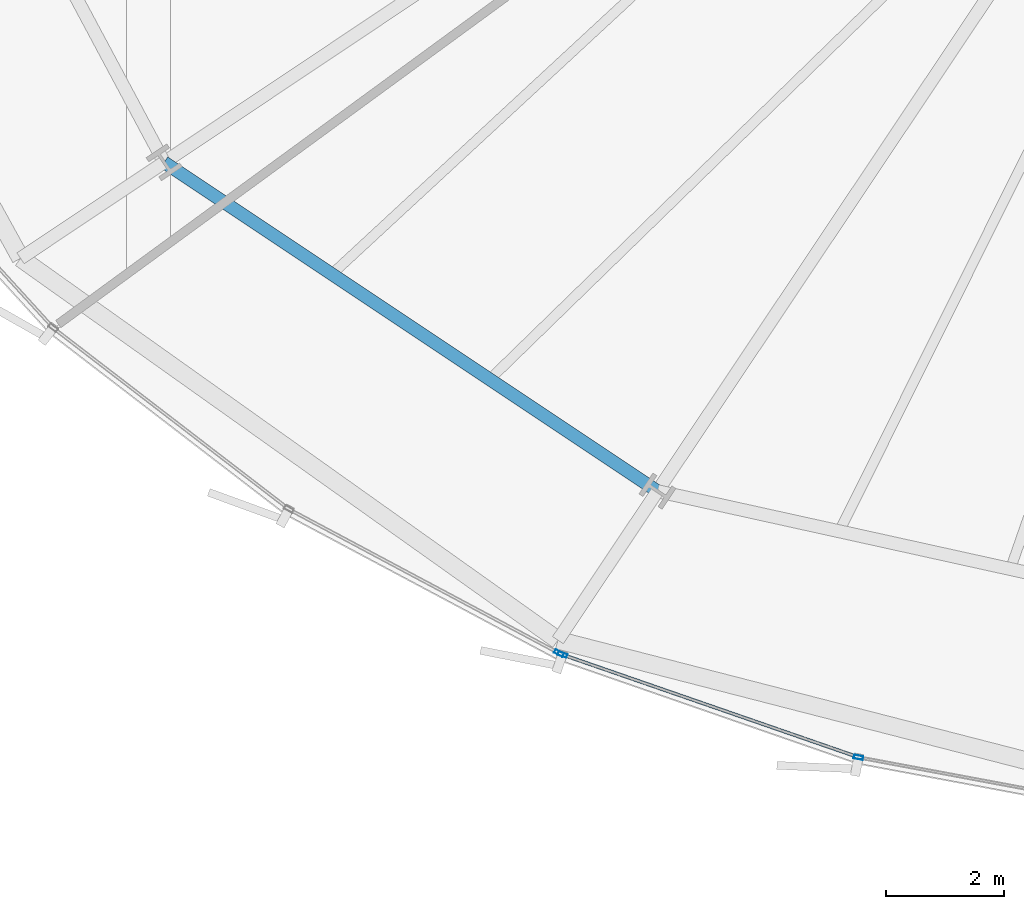
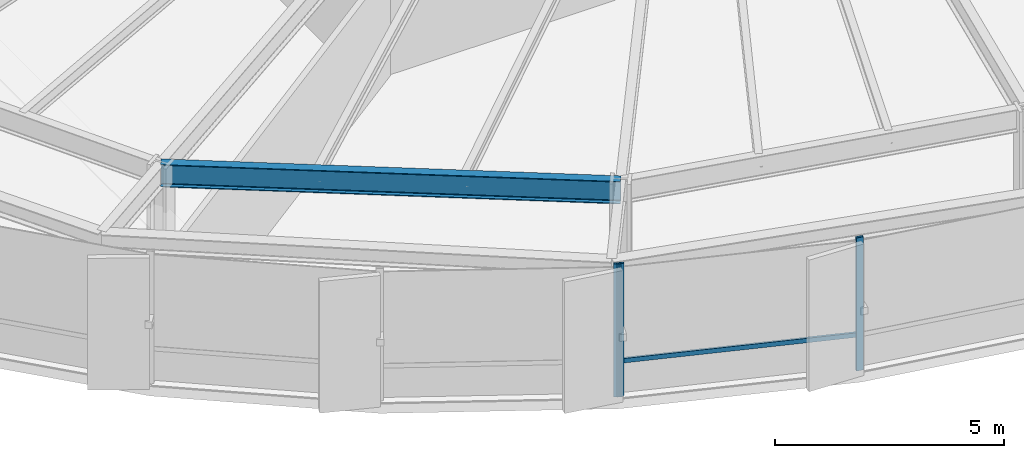
# One storey, part 4 of 42: 4 members, 1 beam, 2 elements without a shape of their own.
"""IFC4 building model written with IfcOpenShell, lengths in metres."""

from ifc_helpers import new_model, si_unit, direction, frame, origin, origin_2d, place, context, subcontext, project, spatial, hollow_rectangle, i_section, extrude, source, transform, mapped, material, layer, layer_set, material_profile, profile_set, type_object, element, aggregate, save


model = new_model("IFC4")

# Units and contexts
model_context = context("Model", 3, precision=1e-05, world=origin(), true_north=direction((0.0, 1.0)))
body_context = subcontext(model_context, "Body", "Model", "MODEL_VIEW")
ifc_project = project(units=[si_unit("LENGTHUNIT", "METRE"), si_unit("AREAUNIT", "SQUARE_METRE"), si_unit("VOLUMEUNIT", "CUBIC_METRE"), si_unit("PLANEANGLEUNIT", "RADIAN"), si_unit("MASSUNIT", "GRAM", prefix="KILO"), si_unit("THERMODYNAMICTEMPERATUREUNIT", "KELVIN")], contexts=[model_context])

# Site, building, storey
site_placement = place(None, origin())
site = spatial("IfcSite", under=ifc_project, at=site_placement, CompositionType="ELEMENT")
building_placement = place(site_placement, origin())
building = spatial("IfcBuilding", under=site, at=building_placement, Name="Kethvar Cultural Tower", CompositionType="ELEMENT")
storey_placement = place(building_placement, frame((0.0, 0.0, 37.199951171875)))
storey = spatial("IfcBuildingStorey", under=building, at=storey_placement, Name="L08", CompositionType="ELEMENT", Elevation=37.199951171875)

# Beam
ifc_material_1 = material(Name="Steel S355J2", Category="steel")
ifc_material_profile_1 = material_profile(ifc_material_1, i_section(OverallWidth=0.219970703125, OverallDepth=0.60009765625, WebThickness=0.011962890625, FlangeThickness=0.01904296875, FilletRadius=0.02392578125, at=origin_2d()), Name="Steel S355J2 — IPE600")
ifc_profile_set_1 = profile_set([ifc_material_profile_1], Name="Steel S355J2 — IPE600")
beam_type = type_object("IfcBeamType", Name="BM-IPE600", PredefinedType="BEAM", material=ifc_profile_set_1)
shared_shape_1 = source(origin(), body_context, "Body", "SweptSolid", [
    extrude(i_section(OverallWidth=0.219970703125, OverallDepth=0.60009765625, WebThickness=0.011962890625, FlangeThickness=0.01904296875, FilletRadius=0.02392578125, at=origin_2d()), origin(), (0.0, 0.0, 1.0), 10.06787109375),
])
beam_placement = place(storey_placement, frame((24.9248046875, 13.183349609375, 3.248046875), z_axis=(0.832065216665, -0.554677812083, 0.0), x_axis=(0.554677812083, 0.832065216665, 0.0)))
element("IfcBeam", 1, at=beam_placement, inside=storey, type_object=beam_type, Name="L08 Column Ring Tie Beam CR-10", PredefinedType="BEAM", context=body_context, shape_type="MappedRepresentation", body=[
    mapped(shared_shape_1, transform((0.0, 0.0, 0.0), scale=1.0)),
])

# Curtain wall, member
ifc_material_2 = material(Name="Aluminium 6063-T6", Category="aluminium")
ifc_layer = layer(ifc_material_2, 0.179931640625, Name="Aluminium 6063-T6", Category="aluminium")
ifc_layer_set = layer_set([ifc_layer], Name="Aluminium 6063-T6 (180 mm)")
curtain_wall_type = type_object("IfcCurtainWallType", Name="CW-SYS-02-Z1", PredefinedType="NOTDEFINED", material=ifc_layer_set)
curtain_wall_1_placement = place(storey_placement, origin())
curtain_wall_1 = element("IfcCurtainWall", 2, at=curtain_wall_1_placement, inside=storey, type_object=curtain_wall_type, Name="L08 Curtain Wall Run 04", PredefinedType="NOTDEFINED")
ifc_material_profile_2 = material_profile(ifc_material_2, hollow_rectangle(XDim=0.06494140625, YDim=0.159912109375, WallThickness=0.0048828125, at=origin_2d()), Name="Aluminium 6063-T6 — RHS160x65x5")
ifc_profile_set_2 = profile_set([ifc_material_profile_2], Name="Aluminium 6063-T6 — RHS160x65x5")
member_type_1 = type_object("IfcMemberType", Name="CW-SYS-02-Z1-MUL", PredefinedType="MULLION", material=ifc_profile_set_2)
shared_shape_2 = source(origin(), body_context, "Body", "SweptSolid", [
    extrude(hollow_rectangle(XDim=0.06494140625, YDim=0.159912109375, WallThickness=0.0048828125, at=origin_2d()), origin(), (0.0, 0.0, 1.0), 3.550048828125),
])
member_1_placement = place(storey_placement, frame((31.628173828125, 4.84912109375, 0.0), z_axis=(0.0, 0.0, 1.0), x_axis=(0.470334317597, 0.882488317028, 0.0)))
member_1 = element("IfcMember", 3, at=member_1_placement, type_object=member_type_1, Name="CW-L08-R04 Mullion 7", PredefinedType="MULLION", context=body_context, shape_type="MappedRepresentation", body=[
    mapped(shared_shape_2, transform((0.0, 0.0, 0.0), scale=1.0)),
])
aggregate(curtain_wall_1, [member_1])

# Curtain wall, members
curtain_wall_2_placement = place(storey_placement, origin())
curtain_wall_2 = element("IfcCurtainWall", 4, at=curtain_wall_2_placement, inside=storey, type_object=curtain_wall_type, Name="L08 Curtain Wall Run 05", PredefinedType="NOTDEFINED")
member_2_placement = place(storey_placement, frame((31.688232421875, 4.822998046875, 0.0), z_axis=(0.0, 0.0, 1.0), x_axis=(0.327547728433, 0.944834633996, 0.0)))
member_2 = element("IfcMember", 5, at=member_2_placement, type_object=member_type_1, Name="CW-L08-R05 Mullion 1", PredefinedType="MULLION", context=body_context, shape_type="MappedRepresentation", body=[
    mapped(shared_shape_2, transform((0.0, 0.0, 0.0), scale=1.0)),
])
member_3_placement = place(storey_placement, frame((36.71533203125, 3.078857421875, 0.0), z_axis=(0.0, 0.0, 1.0), x_axis=(0.183762637184, 0.982970647159, 0.0)))
member_3 = element("IfcMember", 6, at=member_3_placement, type_object=member_type_1, Name="CW-L08-R05 Mullion 2", PredefinedType="MULLION", context=body_context, shape_type="MappedRepresentation", body=[
    mapped(shared_shape_2, transform((0.0, 0.0, 0.0), scale=1.0)),
])
ifc_material_profile_3 = material_profile(ifc_material_2, hollow_rectangle(XDim=0.054931640625, YDim=0.1201171875, WallThickness=0.00390625, at=origin_2d()), Name="Aluminium 6063-T6 — RHS120x55x4")
ifc_profile_set_3 = profile_set([ifc_material_profile_3], Name="Aluminium 6063-T6 — RHS120x55x4")
member_type_2 = type_object("IfcMemberType", Name="CW-SYS-02-Z1-TRN", PredefinedType="USERDEFINED", material=ifc_profile_set_3)
shared_shape_3 = source(origin(), body_context, "Body", "SweptSolid", [
    extrude(hollow_rectangle(XDim=0.054931640625, YDim=0.1201171875, WallThickness=0.00390625, at=origin_2d()), origin(), (0.0, 0.0, 1.0), 5.287841796875),
])
member_4_placement = place(storey_placement, frame((31.6923828125, 4.821533203125, 0.949951171875), z_axis=(0.944838865689, -0.32753552156, 0.0), x_axis=(0.32753552156, 0.944838865689, 0.0)))
member_4 = element("IfcMember", 7, at=member_4_placement, type_object=member_type_2, Name="CW-L08-R05 Transom 1", ObjectType="TRANSOM", PredefinedType="USERDEFINED", context=body_context, shape_type="MappedRepresentation", body=[
    mapped(shared_shape_3, transform((0.0, 0.0, 0.0), scale=1.0)),
])
aggregate(curtain_wall_2, [member_2, member_3, member_4])

save(model, "model.ifc")
